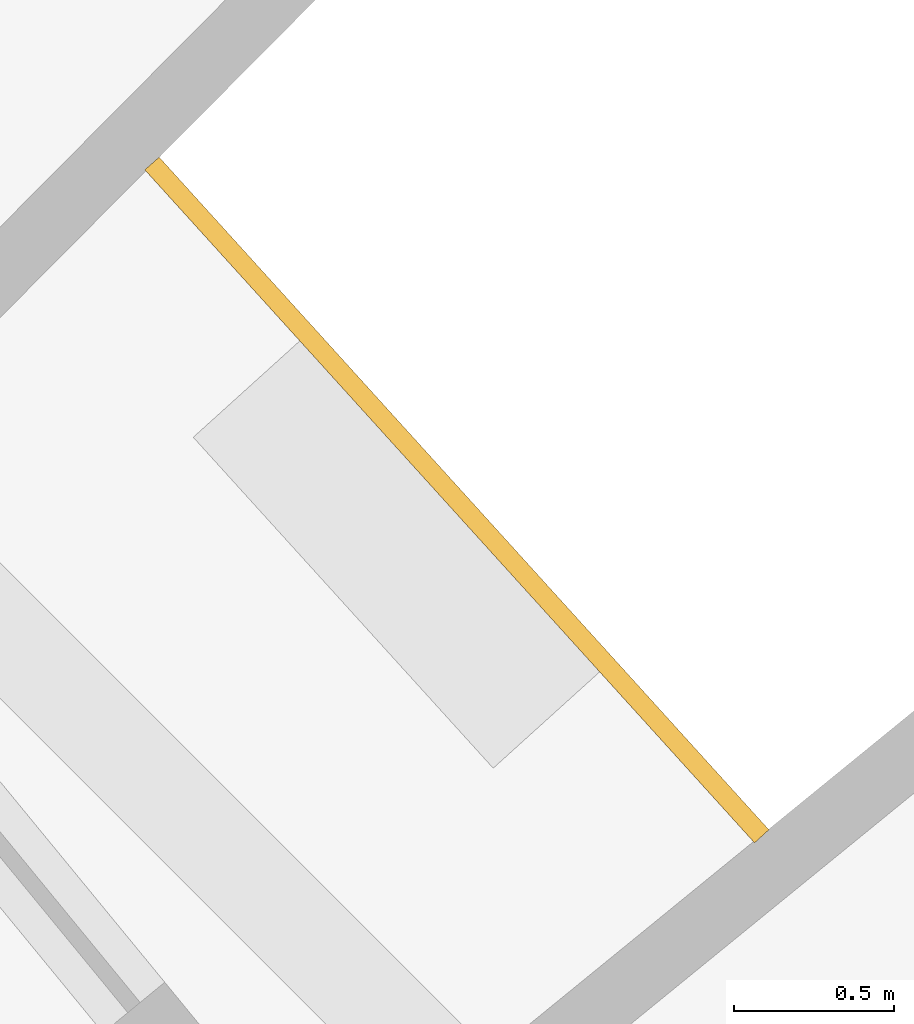
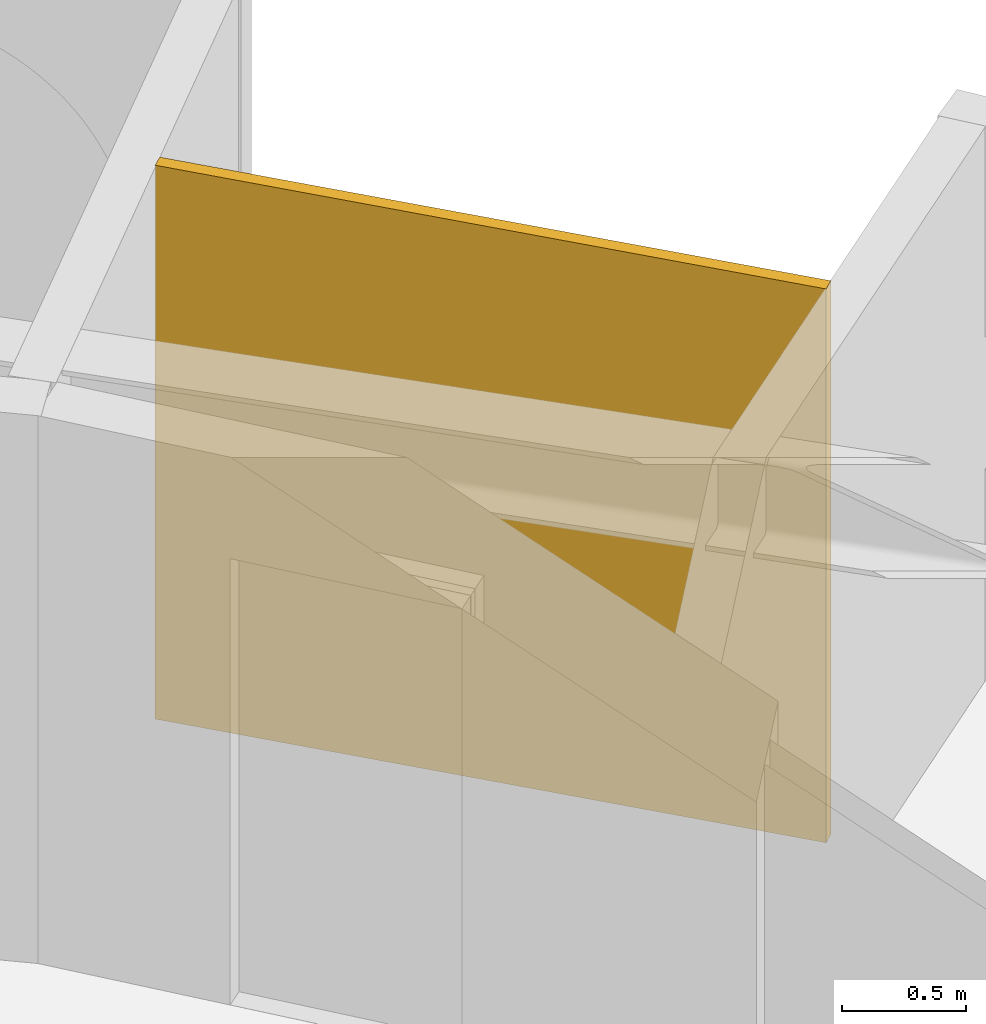
# One storey, part 28 of 28: 1 railing.
"""IFC4 building model written with IfcOpenShell, lengths in metres."""

from ifc_helpers import new_model, si_unit, direction, frame, origin, place, context, subcontext, project, spatial, polyline, outline, extrude, material, layer, layer_set, type_object, element, save


model = new_model("IFC4")

# Units and contexts
model_context = context("Model", 3, precision=1e-05, world=origin(), true_north=direction((0.0, 1.0)))
body_context = subcontext(model_context, "Body", "Model", "MODEL_VIEW")
ifc_project = project(units=[si_unit("LENGTHUNIT", "METRE"), si_unit("AREAUNIT", "SQUARE_METRE"), si_unit("VOLUMEUNIT", "CUBIC_METRE"), si_unit("PLANEANGLEUNIT", "RADIAN"), si_unit("MASSUNIT", "GRAM", prefix="KILO")], contexts=[model_context])

# Site, building, storey
site_placement = place(None, origin())
site = spatial("IfcSite", under=ifc_project, at=site_placement, CompositionType="ELEMENT")
building_placement = place(site_placement, origin())
building = spatial("IfcBuilding", under=site, at=building_placement, Name="Maasbend Ring Residences", CompositionType="ELEMENT")
storey_placement = place(building_placement, frame((0.0, 0.0, 133.0)))
storey = spatial("IfcBuildingStorey", under=building, at=storey_placement, Name="L38", CompositionType="ELEMENT", Elevation=133.0)

# Railing
ifc_material = material(Name="Pale anodised perforated aluminium", Category="aluminium")
ifc_layer = layer(ifc_material, 0.06005859375)
ifc_layer_set = layer_set([ifc_layer], Name="SCREEN-P")
railing_type = type_object("IfcRailingType", Name="SCREEN-P", PredefinedType="GUARDRAIL", material=ifc_layer_set)
railing_placement = place(storey_placement, frame((0.0, 0.0, -0.030029296875)))
element("IfcRailing", 1, at=railing_placement, inside=storey, type_object=railing_type, Name="Perforated screen guard 1", PredefinedType="GUARDRAIL", context=body_context, shape_type="SweptSolid", body=[
    extrude(outline(polyline([(22.4169921875, 18.39697265625), (20.506103515625, 20.506103515625), (20.551025390625, 20.5458984375), (22.4619140625, 18.43798828125), (22.4169921875, 18.39697265625)])), origin(), (0.0, 0.0, 1.0), 2.72998046875),
])

save(model, "model.ifc")
